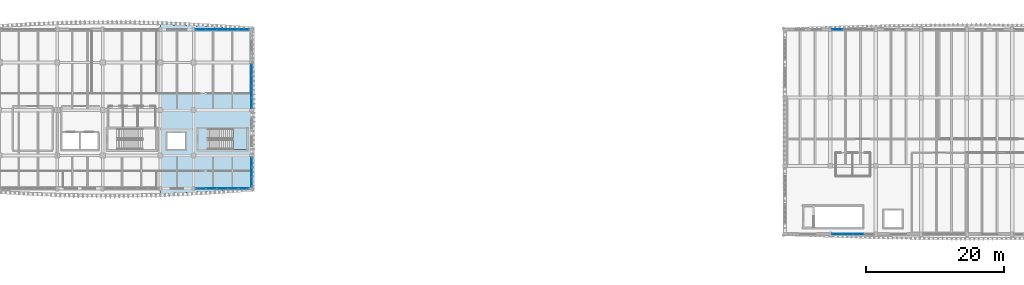
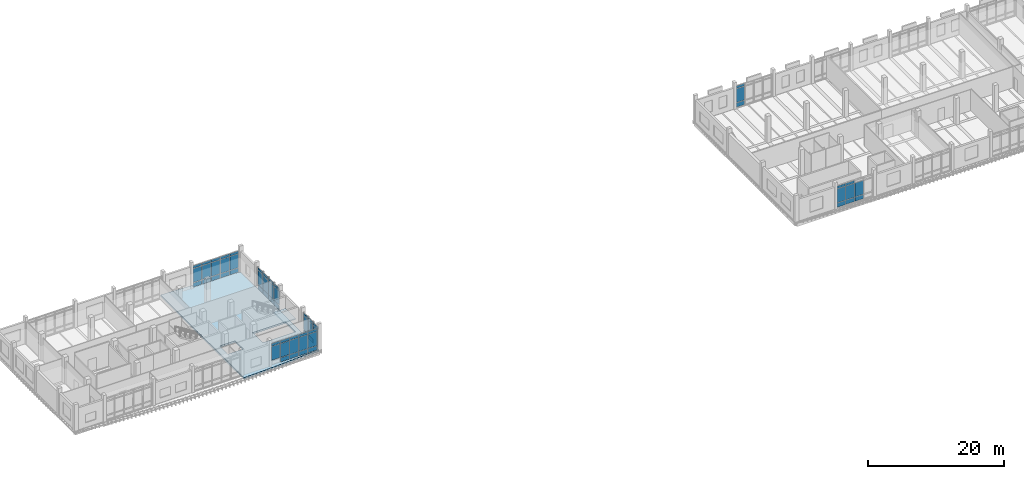
# One storey, part 15 of 37: 61 plates, 2 slabs, 7 elements without a shape of their own.
"""IFC4 building model written with IfcOpenShell, lengths in metres."""

from ifc_helpers import new_model, si_unit, direction, frame, origin, origin_2d, place, context, subcontext, project, spatial, polyline, rectangle, outline, extrude, material, layer, layer_set, type_object, element, aggregate, save


model = new_model("IFC4")

# Units and contexts
model_context = context("Model", 3, precision=1e-05, world=origin(), true_north=direction((0.0, 1.0)))
body_context = subcontext(model_context, "Body", "Model", "MODEL_VIEW")
ifc_project = project(units=[si_unit("LENGTHUNIT", "METRE"), si_unit("AREAUNIT", "SQUARE_METRE"), si_unit("VOLUMEUNIT", "CUBIC_METRE"), si_unit("PLANEANGLEUNIT", "RADIAN"), si_unit("MASSUNIT", "GRAM", prefix="KILO")], contexts=[model_context])

# Site, building, storey
site_placement = place(None, origin())
site = spatial("IfcSite", under=ifc_project, at=site_placement, CompositionType="ELEMENT")
building_placement = place(site_placement, origin())
building = spatial("IfcBuilding", under=site, at=building_placement, Name="Dornvale Research Institute", CompositionType="ELEMENT")
storey_placement = place(building_placement, frame((0.0, 0.0, 29.39990234375)))
storey = spatial("IfcBuildingStorey", under=building, at=storey_placement, Name="L06", CompositionType="ELEMENT", Elevation=29.39990234375)

# Curtain wall, plate
ifc_material_1 = material(Name="Low-E Argon Double Insulating Glazing Unit", Category="glass")
curtain_wall_type_1 = type_object("IfcCurtainWallType", Name="UnitisedCurtainWall_V4_6150x3950", PredefinedType="USERDEFINED", material=ifc_material_1)
curtain_wall_1_placement = place(storey_placement, origin())
curtain_wall_1 = element("IfcCurtainWall", 1, at=curtain_wall_1_placement, inside=storey, type_object=curtain_wall_type_1, Name="L06 V4 unitised curtain wall CW-15 #117", ObjectType="UNITISED CURTAIN WALL", PredefinedType="USERDEFINED")
ifc_material_2 = material(Name="Insulated Ceramic-Frit Spandrel Glass Panel", Category="glass")
ifc_layer_1 = layer(ifc_material_2, 0.0419921875)
ifc_layer_set_1 = layer_set([ifc_layer_1], Name="Insulated Ceramic-Frit Spandrel Glass Panel")
plate_type_1 = type_object("IfcPlateType", Name="CurtainPanel_Spandrel_42", PredefinedType="CURTAIN_PANEL", material=ifc_layer_set_1)
plate_1_placement = place(storey_placement, frame((126.409912109375, 122.10009765625, 0.065185546875), z_axis=(0.0, 0.0, 1.0), x_axis=(1.0, 0.0, 0.0)))
plate_1 = element("IfcPlate", 2, at=plate_1_placement, type_object=plate_type_1, Name="CW-15 panel 1.1", PredefinedType="CURTAIN_PANEL", context=body_context, shape_type="SweptSolid", body=[
    extrude(rectangle(XDim=1.43994140625, YDim=0.0419921875, at=origin_2d()), origin(), (0.0, 0.0, 1.0), 0.75244140625),
])

# Curtain wall, plates
curtain_wall_2_placement = place(storey_placement, origin())
curtain_wall_2 = element("IfcCurtainWall", 3, at=curtain_wall_2_placement, inside=storey, type_object=curtain_wall_type_1, Name="L06 V4 unitised curtain wall CW-15 #124", ObjectType="UNITISED CURTAIN WALL", PredefinedType="USERDEFINED")
plate_2_placement = place(storey_placement, frame((129.46875, 92.39990234375, 0.065185546875), z_axis=(0.0, 0.0, 1.0), x_axis=(-1.0, 0.0, 0.0)))
plate_2 = element("IfcPlate", 4, at=plate_2_placement, type_object=plate_type_1, Name="CW-15 panel 2.1", PredefinedType="CURTAIN_PANEL", context=body_context, shape_type="SweptSolid", body=[
    extrude(rectangle(XDim=1.472412109375, YDim=0.0419921875, at=origin_2d()), origin(), (0.0, 0.0, 1.0), 0.75244140625),
])
plate_3_placement = place(storey_placement, frame((127.93115234375, 92.39990234375, 0.065185546875), z_axis=(0.0, 0.0, 1.0), x_axis=(-1.0, 0.0, 0.0)))
plate_3 = element("IfcPlate", 5, at=plate_3_placement, type_object=plate_type_1, Name="CW-15 panel 3.1", PredefinedType="CURTAIN_PANEL", context=body_context, shape_type="SweptSolid", body=[
    extrude(rectangle(XDim=1.472412109375, YDim=0.0419921875, at=origin_2d()), origin(), (0.0, 0.0, 1.0), 0.75244140625),
])
plate_4_placement = place(storey_placement, frame((126.409912109375, 92.39990234375, 0.065185546875), z_axis=(0.0, 0.0, 1.0), x_axis=(-1.0, 0.0, 0.0)))
plate_4 = element("IfcPlate", 6, at=plate_4_placement, type_object=plate_type_1, Name="CW-15 panel 4.1", PredefinedType="CURTAIN_PANEL", context=body_context, shape_type="SweptSolid", body=[
    extrude(rectangle(XDim=1.43994140625, YDim=0.0419921875, at=origin_2d()), origin(), (0.0, 0.0, 1.0), 0.75244140625),
])

ifc_material_3 = material(Name="Low-E Argon Double Insulating Glazing Unit", Category="glass")
curtain_wall_type_2 = type_object("IfcCurtainWallType", Name="UnitisedCurtainWall_V5_7850x3950", PredefinedType="USERDEFINED", material=ifc_material_3)
curtain_wall_3_placement = place(storey_placement, origin())
curtain_wall_3 = element("IfcCurtainWall", 7, at=curtain_wall_3_placement, inside=storey, type_object=curtain_wall_type_2, Name="L06 V5 unitised curtain wall CW-31 #175", ObjectType="UNITISED CURTAIN WALL", PredefinedType="USERDEFINED")
plate_5_placement = place(storey_placement, frame((34.0263671875, 122.10009765625, 0.065185546875), z_axis=(0.0, 0.0, 1.0), x_axis=(1.0, 0.0, 0.0)))
plate_5 = element("IfcPlate", 8, at=plate_5_placement, type_object=plate_type_1, Name="CW-31 panel 1.1", PredefinedType="CURTAIN_PANEL", context=body_context, shape_type="SweptSolid", body=[
    extrude(rectangle(XDim=1.472412109375, YDim=0.0419921875, at=origin_2d()), origin(), (0.0, 0.0, 1.0), 0.75244140625),
])
plate_6_placement = place(storey_placement, frame((35.580078125, 122.10009765625, 0.065185546875), z_axis=(0.0, 0.0, 1.0), x_axis=(1.0, 0.0, 0.0)))
plate_6 = element("IfcPlate", 9, at=plate_6_placement, type_object=plate_type_1, Name="CW-31 panel 2.1", PredefinedType="CURTAIN_PANEL", context=body_context, shape_type="SweptSolid", body=[
    extrude(rectangle(XDim=1.5048828125, YDim=0.0419921875, at=origin_2d()), origin(), (0.0, 0.0, 1.0), 0.75244140625),
])
plate_7_placement = place(storey_placement, frame((37.14990234375, 122.10009765625, 0.065185546875), z_axis=(0.0, 0.0, 1.0), x_axis=(1.0, 0.0, 0.0)))
plate_7 = element("IfcPlate", 10, at=plate_7_placement, type_object=plate_type_1, Name="CW-31 panel 3.1", PredefinedType="CURTAIN_PANEL", context=body_context, shape_type="SweptSolid", body=[
    extrude(rectangle(XDim=1.5048828125, YDim=0.0419921875, at=origin_2d()), origin(), (0.0, 0.0, 1.0), 0.75244140625),
])
plate_8_placement = place(storey_placement, frame((38.719970703125, 122.10009765625, 0.065185546875), z_axis=(0.0, 0.0, 1.0), x_axis=(1.0, 0.0, 0.0)))
plate_8 = element("IfcPlate", 11, at=plate_8_placement, type_object=plate_type_1, Name="CW-31 panel 4.1", PredefinedType="CURTAIN_PANEL", context=body_context, shape_type="SweptSolid", body=[
    extrude(rectangle(XDim=1.5048828125, YDim=0.0419921875, at=origin_2d()), origin(), (0.0, 0.0, 1.0), 0.75244140625),
])
plate_9_placement = place(storey_placement, frame((40.273681640625, 122.10009765625, 0.065185546875), z_axis=(0.0, 0.0, 1.0), x_axis=(1.0, 0.0, 0.0)))
plate_9 = element("IfcPlate", 12, at=plate_9_placement, type_object=plate_type_1, Name="CW-31 panel 5.1", PredefinedType="CURTAIN_PANEL", context=body_context, shape_type="SweptSolid", body=[
    extrude(rectangle(XDim=1.472412109375, YDim=0.0419921875, at=origin_2d()), origin(), (0.0, 0.0, 1.0), 0.75244140625),
])

ifc_material_4 = material(Name="Low-E Argon Double Insulating Glazing Unit", Category="glass")
curtain_wall_type_3 = type_object("IfcCurtainWallType", Name="UnitisedCurtainWall_V5_6450x3950", PredefinedType="USERDEFINED", material=ifc_material_4)
curtain_wall_4_placement = place(storey_placement, origin())
curtain_wall_4 = element("IfcCurtainWall", 13, at=curtain_wall_4_placement, inside=storey, type_object=curtain_wall_type_3, Name="L06 V5 unitised curtain wall CW-32 #176", ObjectType="UNITISED CURTAIN WALL", PredefinedType="USERDEFINED")
plate_10_placement = place(storey_placement, frame((41.39990234375, 116.25244140625, 0.065185546875), z_axis=(0.0, 0.0, 1.0), x_axis=(0.0, -1.0, 0.0)))
plate_10 = element("IfcPlate", 14, at=plate_10_placement, type_object=plate_type_1, Name="CW-32 panel 1.1", PredefinedType="CURTAIN_PANEL", context=body_context, shape_type="SweptSolid", body=[
    extrude(rectangle(XDim=1.514892578125, YDim=0.0419921875, at=origin_2d()), origin(), (0.0, 0.0, 1.0), 0.75244140625),
])
plate_11_placement = place(storey_placement, frame((41.39990234375, 114.65625, 0.065185546875), z_axis=(0.0, 0.0, 1.0), x_axis=(0.0, -1.0, 0.0)))
plate_11 = element("IfcPlate", 15, at=plate_11_placement, type_object=plate_type_1, Name="CW-32 panel 2.1", PredefinedType="CURTAIN_PANEL", context=body_context, shape_type="SweptSolid", body=[
    extrude(rectangle(XDim=1.547607421875, YDim=0.0419921875, at=origin_2d()), origin(), (0.0, 0.0, 1.0), 0.75244140625),
])
plate_12_placement = place(storey_placement, frame((41.39990234375, 113.043701171875, 0.065185546875), z_axis=(0.0, 0.0, 1.0), x_axis=(0.0, -1.0, 0.0)))
plate_12 = element("IfcPlate", 16, at=plate_12_placement, type_object=plate_type_1, Name="CW-32 panel 3.1", PredefinedType="CURTAIN_PANEL", context=body_context, shape_type="SweptSolid", body=[
    extrude(rectangle(XDim=1.547607421875, YDim=0.0419921875, at=origin_2d()), origin(), (0.0, 0.0, 1.0), 0.75244140625),
])
plate_13_placement = place(storey_placement, frame((41.39990234375, 111.447509765625, 0.065185546875), z_axis=(0.0, 0.0, 1.0), x_axis=(0.0, -1.0, 0.0)))
plate_13 = element("IfcPlate", 17, at=plate_13_placement, type_object=plate_type_1, Name="CW-32 panel 4.1", PredefinedType="CURTAIN_PANEL", context=body_context, shape_type="SweptSolid", body=[
    extrude(rectangle(XDim=1.514892578125, YDim=0.0419921875, at=origin_2d()), origin(), (0.0, 0.0, 1.0), 0.75244140625),
])

ifc_material_5 = material(Name="Low-E Argon Double Insulating Glazing Unit", Category="glass")
curtain_wall_type_4 = type_object("IfcCurtainWallType", Name="UnitisedCurtainWall_V5_4350x3950", PredefinedType="USERDEFINED", material=ifc_material_5)
curtain_wall_5_placement = place(storey_placement, origin())
curtain_wall_5 = element("IfcCurtainWall", 18, at=curtain_wall_5_placement, inside=storey, type_object=curtain_wall_type_4, Name="L06 V5 unitised curtain wall CW-33 #177", ObjectType="UNITISED CURTAIN WALL", PredefinedType="USERDEFINED")
plate_14_placement = place(storey_placement, frame((41.39990234375, 102.833740234375, 0.065185546875), z_axis=(0.0, 0.0, 1.0), x_axis=(0.0, -1.0, 0.0)))
plate_14 = element("IfcPlate", 19, at=plate_14_placement, type_object=plate_type_1, Name="CW-33 panel 1.1", PredefinedType="CURTAIN_PANEL", context=body_context, shape_type="SweptSolid", body=[
    extrude(rectangle(XDim=1.3525390625, YDim=0.0419921875, at=origin_2d()), origin(), (0.0, 0.0, 1.0), 0.75244140625),
])
plate_15_placement = place(storey_placement, frame((41.39990234375, 101.39990234375, 0.065185546875), z_axis=(0.0, 0.0, 1.0), x_axis=(0.0, -1.0, 0.0)))
plate_15 = element("IfcPlate", 20, at=plate_15_placement, type_object=plate_type_1, Name="CW-33 panel 2.1", PredefinedType="CURTAIN_PANEL", context=body_context, shape_type="SweptSolid", body=[
    extrude(rectangle(XDim=1.385009765625, YDim=0.0419921875, at=origin_2d()), origin(), (0.0, 0.0, 1.0), 0.75244140625),
])
plate_16_placement = place(storey_placement, frame((41.39990234375, 99.96630859375, 0.065185546875), z_axis=(0.0, 0.0, 1.0), x_axis=(0.0, -1.0, 0.0)))
plate_16 = element("IfcPlate", 21, at=plate_16_placement, type_object=plate_type_1, Name="CW-33 panel 3.1", PredefinedType="CURTAIN_PANEL", context=body_context, shape_type="SweptSolid", body=[
    extrude(rectangle(XDim=1.3525390625, YDim=0.0419921875, at=origin_2d()), origin(), (0.0, 0.0, 1.0), 0.75244140625),
])

curtain_wall_6_placement = place(storey_placement, origin())
curtain_wall_6 = element("IfcCurtainWall", 22, at=curtain_wall_6_placement, inside=storey, type_object=curtain_wall_type_2, Name="L06 V5 unitised curtain wall CW-31 #178", ObjectType="UNITISED CURTAIN WALL", PredefinedType="USERDEFINED")
plate_17_placement = place(storey_placement, frame((40.273681640625, 99.0, 0.065185546875), z_axis=(0.0, 0.0, 1.0), x_axis=(-1.0, 0.0, 0.0)))
plate_17 = element("IfcPlate", 23, at=plate_17_placement, type_object=plate_type_1, Name="CW-31 panel 1.1", PredefinedType="CURTAIN_PANEL", context=body_context, shape_type="SweptSolid", body=[
    extrude(rectangle(XDim=1.472412109375, YDim=0.0419921875, at=origin_2d()), origin(), (0.0, 0.0, 1.0), 0.75244140625),
])
plate_18_placement = place(storey_placement, frame((38.719970703125, 99.0, 0.065185546875), z_axis=(0.0, 0.0, 1.0), x_axis=(-1.0, 0.0, 0.0)))
plate_18 = element("IfcPlate", 24, at=plate_18_placement, type_object=plate_type_1, Name="CW-31 panel 2.1", PredefinedType="CURTAIN_PANEL", context=body_context, shape_type="SweptSolid", body=[
    extrude(rectangle(XDim=1.5048828125, YDim=0.0419921875, at=origin_2d()), origin(), (0.0, 0.0, 1.0), 0.75244140625),
])
plate_19_placement = place(storey_placement, frame((37.14990234375, 99.0, 0.065185546875), z_axis=(0.0, 0.0, 1.0), x_axis=(-1.0, 0.0, 0.0)))
plate_19 = element("IfcPlate", 25, at=plate_19_placement, type_object=plate_type_1, Name="CW-31 panel 3.1", PredefinedType="CURTAIN_PANEL", context=body_context, shape_type="SweptSolid", body=[
    extrude(rectangle(XDim=1.5048828125, YDim=0.0419921875, at=origin_2d()), origin(), (0.0, 0.0, 1.0), 0.75244140625),
])
plate_20_placement = place(storey_placement, frame((35.580078125, 99.0, 0.065185546875), z_axis=(0.0, 0.0, 1.0), x_axis=(-1.0, 0.0, 0.0)))
plate_20 = element("IfcPlate", 26, at=plate_20_placement, type_object=plate_type_1, Name="CW-31 panel 4.1", PredefinedType="CURTAIN_PANEL", context=body_context, shape_type="SweptSolid", body=[
    extrude(rectangle(XDim=1.5048828125, YDim=0.0419921875, at=origin_2d()), origin(), (0.0, 0.0, 1.0), 0.75244140625),
])

# Plate
ifc_material_6 = material(Name="Low-E Argon Double Insulating Glazing Unit", Category="glass")
ifc_layer_2 = layer(ifc_material_6, 0.028076171875)
ifc_layer_set_2 = layer_set([ifc_layer_2], Name="Low-E Argon Double Insulating Glazing Unit")
plate_type_2 = type_object("IfcPlateType", Name="CurtainPanel_Vision_28", PredefinedType="CURTAIN_PANEL", material=ifc_layer_set_2)
plate_21_placement = place(storey_placement, frame((126.409912109375, 122.10009765625, 0.88232421875), z_axis=(0.0, 0.0, 1.0), x_axis=(1.0, 0.0, 0.0)))
plate_21 = element("IfcPlate", 27, at=plate_21_placement, type_object=plate_type_2, Name="CW-15 panel 1.2", PredefinedType="CURTAIN_PANEL", context=body_context, shape_type="SweptSolid", body=[
    extrude(rectangle(XDim=1.43994140625, YDim=0.028076171875, at=origin_2d()), origin(), (0.0, 0.0, 1.0), 2.485107421875),
])

plate_22_placement = place(storey_placement, frame((126.409912109375, 122.10009765625, 3.4326171875), z_axis=(0.0, 0.0, 1.0), x_axis=(1.0, 0.0, 0.0)))
plate_22 = element("IfcPlate", 28, at=plate_22_placement, type_object=plate_type_2, Name="CW-15 panel 1.3", PredefinedType="CURTAIN_PANEL", context=body_context, shape_type="SweptSolid", body=[
    extrude(rectangle(XDim=1.43994140625, YDim=0.028076171875, at=origin_2d()), origin(), (0.0, 0.0, 1.0), 0.452392578125),
])

aggregate(curtain_wall_1, [plate_1, plate_21, plate_22])

plate_23_placement = place(storey_placement, frame((129.46875, 92.39990234375, 0.88232421875), z_axis=(0.0, 0.0, 1.0), x_axis=(-1.0, 0.0, 0.0)))
plate_23 = element("IfcPlate", 29, at=plate_23_placement, type_object=plate_type_2, Name="CW-15 panel 2.2", PredefinedType="CURTAIN_PANEL", context=body_context, shape_type="SweptSolid", body=[
    extrude(rectangle(XDim=1.472412109375, YDim=0.028076171875, at=origin_2d()), origin(), (0.0, 0.0, 1.0), 2.485107421875),
])

plate_24_placement = place(storey_placement, frame((127.93115234375, 92.39990234375, 0.88232421875), z_axis=(0.0, 0.0, 1.0), x_axis=(-1.0, 0.0, 0.0)))
plate_24 = element("IfcPlate", 30, at=plate_24_placement, type_object=plate_type_2, Name="CW-15 panel 3.2", PredefinedType="CURTAIN_PANEL", context=body_context, shape_type="SweptSolid", body=[
    extrude(rectangle(XDim=1.472412109375, YDim=0.028076171875, at=origin_2d()), origin(), (0.0, 0.0, 1.0), 2.485107421875),
])

plate_25_placement = place(storey_placement, frame((127.93115234375, 92.39990234375, 3.4326171875), z_axis=(0.0, 0.0, 1.0), x_axis=(-1.0, 0.0, 0.0)))
plate_25 = element("IfcPlate", 31, at=plate_25_placement, type_object=plate_type_2, Name="CW-15 panel 3.3", PredefinedType="CURTAIN_PANEL", context=body_context, shape_type="SweptSolid", body=[
    extrude(rectangle(XDim=1.472412109375, YDim=0.028076171875, at=origin_2d()), origin(), (0.0, 0.0, 1.0), 0.452392578125),
])

plate_26_placement = place(storey_placement, frame((126.409912109375, 92.39990234375, 0.88232421875), z_axis=(0.0, 0.0, 1.0), x_axis=(-1.0, 0.0, 0.0)))
plate_26 = element("IfcPlate", 32, at=plate_26_placement, type_object=plate_type_2, Name="CW-15 panel 4.2", PredefinedType="CURTAIN_PANEL", context=body_context, shape_type="SweptSolid", body=[
    extrude(rectangle(XDim=1.43994140625, YDim=0.028076171875, at=origin_2d()), origin(), (0.0, 0.0, 1.0), 2.485107421875),
])

plate_27_placement = place(storey_placement, frame((126.409912109375, 92.39990234375, 3.4326171875), z_axis=(0.0, 0.0, 1.0), x_axis=(-1.0, 0.0, 0.0)))
plate_27 = element("IfcPlate", 33, at=plate_27_placement, type_object=plate_type_2, Name="CW-15 panel 4.3", PredefinedType="CURTAIN_PANEL", context=body_context, shape_type="SweptSolid", body=[
    extrude(rectangle(XDim=1.43994140625, YDim=0.028076171875, at=origin_2d()), origin(), (0.0, 0.0, 1.0), 0.452392578125),
])

aggregate(curtain_wall_2, [plate_2, plate_23, plate_3, plate_24, plate_25, plate_4, plate_26, plate_27])

plate_28_placement = place(storey_placement, frame((34.0263671875, 122.10009765625, 0.88232421875), z_axis=(0.0, 0.0, 1.0), x_axis=(1.0, 0.0, 0.0)))
plate_28 = element("IfcPlate", 34, at=plate_28_placement, type_object=plate_type_2, Name="CW-31 panel 1.2", PredefinedType="CURTAIN_PANEL", context=body_context, shape_type="SweptSolid", body=[
    extrude(rectangle(XDim=1.472412109375, YDim=0.028076171875, at=origin_2d()), origin(), (0.0, 0.0, 1.0), 2.485107421875),
])

plate_29_placement = place(storey_placement, frame((34.0263671875, 122.10009765625, 3.4326171875), z_axis=(0.0, 0.0, 1.0), x_axis=(1.0, 0.0, 0.0)))
plate_29 = element("IfcPlate", 35, at=plate_29_placement, type_object=plate_type_2, Name="CW-31 panel 1.3", PredefinedType="CURTAIN_PANEL", context=body_context, shape_type="SweptSolid", body=[
    extrude(rectangle(XDim=1.472412109375, YDim=0.028076171875, at=origin_2d()), origin(), (0.0, 0.0, 1.0), 0.452392578125),
])

plate_30_placement = place(storey_placement, frame((35.580078125, 122.10009765625, 0.88232421875), z_axis=(0.0, 0.0, 1.0), x_axis=(1.0, 0.0, 0.0)))
plate_30 = element("IfcPlate", 36, at=plate_30_placement, type_object=plate_type_2, Name="CW-31 panel 2.2", PredefinedType="CURTAIN_PANEL", context=body_context, shape_type="SweptSolid", body=[
    extrude(rectangle(XDim=1.5048828125, YDim=0.028076171875, at=origin_2d()), origin(), (0.0, 0.0, 1.0), 2.485107421875),
])

plate_31_placement = place(storey_placement, frame((35.580078125, 122.10009765625, 3.4326171875), z_axis=(0.0, 0.0, 1.0), x_axis=(1.0, 0.0, 0.0)))
plate_31 = element("IfcPlate", 37, at=plate_31_placement, type_object=plate_type_2, Name="CW-31 panel 2.3", PredefinedType="CURTAIN_PANEL", context=body_context, shape_type="SweptSolid", body=[
    extrude(rectangle(XDim=1.5048828125, YDim=0.028076171875, at=origin_2d()), origin(), (0.0, 0.0, 1.0), 0.452392578125),
])

plate_32_placement = place(storey_placement, frame((37.14990234375, 122.10009765625, 0.88232421875), z_axis=(0.0, 0.0, 1.0), x_axis=(1.0, 0.0, 0.0)))
plate_32 = element("IfcPlate", 38, at=plate_32_placement, type_object=plate_type_2, Name="CW-31 panel 3.2", PredefinedType="CURTAIN_PANEL", context=body_context, shape_type="SweptSolid", body=[
    extrude(rectangle(XDim=1.5048828125, YDim=0.028076171875, at=origin_2d()), origin(), (0.0, 0.0, 1.0), 2.485107421875),
])

plate_33_placement = place(storey_placement, frame((37.14990234375, 122.10009765625, 3.4326171875), z_axis=(0.0, 0.0, 1.0), x_axis=(1.0, 0.0, 0.0)))
plate_33 = element("IfcPlate", 39, at=plate_33_placement, type_object=plate_type_2, Name="CW-31 panel 3.3", PredefinedType="CURTAIN_PANEL", context=body_context, shape_type="SweptSolid", body=[
    extrude(rectangle(XDim=1.5048828125, YDim=0.028076171875, at=origin_2d()), origin(), (0.0, 0.0, 1.0), 0.452392578125),
])

plate_34_placement = place(storey_placement, frame((38.719970703125, 122.10009765625, 0.88232421875), z_axis=(0.0, 0.0, 1.0), x_axis=(1.0, 0.0, 0.0)))
plate_34 = element("IfcPlate", 40, at=plate_34_placement, type_object=plate_type_2, Name="CW-31 panel 4.2", PredefinedType="CURTAIN_PANEL", context=body_context, shape_type="SweptSolid", body=[
    extrude(rectangle(XDim=1.5048828125, YDim=0.028076171875, at=origin_2d()), origin(), (0.0, 0.0, 1.0), 2.485107421875),
])

plate_35_placement = place(storey_placement, frame((38.719970703125, 122.10009765625, 3.4326171875), z_axis=(0.0, 0.0, 1.0), x_axis=(1.0, 0.0, 0.0)))
plate_35 = element("IfcPlate", 41, at=plate_35_placement, type_object=plate_type_2, Name="CW-31 panel 4.3", PredefinedType="CURTAIN_PANEL", context=body_context, shape_type="SweptSolid", body=[
    extrude(rectangle(XDim=1.5048828125, YDim=0.028076171875, at=origin_2d()), origin(), (0.0, 0.0, 1.0), 0.452392578125),
])

plate_36_placement = place(storey_placement, frame((40.273681640625, 122.10009765625, 0.88232421875), z_axis=(0.0, 0.0, 1.0), x_axis=(1.0, 0.0, 0.0)))
plate_36 = element("IfcPlate", 42, at=plate_36_placement, type_object=plate_type_2, Name="CW-31 panel 5.2", PredefinedType="CURTAIN_PANEL", context=body_context, shape_type="SweptSolid", body=[
    extrude(rectangle(XDim=1.472412109375, YDim=0.028076171875, at=origin_2d()), origin(), (0.0, 0.0, 1.0), 2.485107421875),
])

plate_37_placement = place(storey_placement, frame((40.273681640625, 122.10009765625, 3.4326171875), z_axis=(0.0, 0.0, 1.0), x_axis=(1.0, 0.0, 0.0)))
plate_37 = element("IfcPlate", 43, at=plate_37_placement, type_object=plate_type_2, Name="CW-31 panel 5.3", PredefinedType="CURTAIN_PANEL", context=body_context, shape_type="SweptSolid", body=[
    extrude(rectangle(XDim=1.472412109375, YDim=0.028076171875, at=origin_2d()), origin(), (0.0, 0.0, 1.0), 0.452392578125),
])

aggregate(curtain_wall_3, [plate_5, plate_28, plate_29, plate_6, plate_30, plate_31, plate_7, plate_32, plate_33, plate_8, plate_34, plate_35, plate_9, plate_36, plate_37])

plate_38_placement = place(storey_placement, frame((41.39990234375, 116.25244140625, 0.88232421875), z_axis=(0.0, 0.0, 1.0), x_axis=(0.0, -1.0, 0.0)))
plate_38 = element("IfcPlate", 44, at=plate_38_placement, type_object=plate_type_2, Name="CW-32 panel 1.2", PredefinedType="CURTAIN_PANEL", context=body_context, shape_type="SweptSolid", body=[
    extrude(rectangle(XDim=1.514892578125, YDim=0.028076171875, at=origin_2d()), origin(), (0.0, 0.0, 1.0), 2.485107421875),
])

plate_39_placement = place(storey_placement, frame((41.39990234375, 116.25244140625, 3.4326171875), z_axis=(0.0, 0.0, 1.0), x_axis=(0.0, -1.0, 0.0)))
plate_39 = element("IfcPlate", 45, at=plate_39_placement, type_object=plate_type_2, Name="CW-32 panel 1.3", PredefinedType="CURTAIN_PANEL", context=body_context, shape_type="SweptSolid", body=[
    extrude(rectangle(XDim=1.514892578125, YDim=0.028076171875, at=origin_2d()), origin(), (0.0, 0.0, 1.0), 0.452392578125),
])

plate_40_placement = place(storey_placement, frame((41.39990234375, 114.65625, 0.88232421875), z_axis=(0.0, 0.0, 1.0), x_axis=(0.0, -1.0, 0.0)))
plate_40 = element("IfcPlate", 46, at=plate_40_placement, type_object=plate_type_2, Name="CW-32 panel 2.2", PredefinedType="CURTAIN_PANEL", context=body_context, shape_type="SweptSolid", body=[
    extrude(rectangle(XDim=1.547607421875, YDim=0.028076171875, at=origin_2d()), origin(), (0.0, 0.0, 1.0), 2.485107421875),
])

plate_41_placement = place(storey_placement, frame((41.39990234375, 114.65625, 3.4326171875), z_axis=(0.0, 0.0, 1.0), x_axis=(0.0, -1.0, 0.0)))
plate_41 = element("IfcPlate", 47, at=plate_41_placement, type_object=plate_type_2, Name="CW-32 panel 2.3", PredefinedType="CURTAIN_PANEL", context=body_context, shape_type="SweptSolid", body=[
    extrude(rectangle(XDim=1.547607421875, YDim=0.028076171875, at=origin_2d()), origin(), (0.0, 0.0, 1.0), 0.452392578125),
])

plate_42_placement = place(storey_placement, frame((41.39990234375, 113.043701171875, 0.88232421875), z_axis=(0.0, 0.0, 1.0), x_axis=(0.0, -1.0, 0.0)))
plate_42 = element("IfcPlate", 48, at=plate_42_placement, type_object=plate_type_2, Name="CW-32 panel 3.2", PredefinedType="CURTAIN_PANEL", context=body_context, shape_type="SweptSolid", body=[
    extrude(rectangle(XDim=1.547607421875, YDim=0.028076171875, at=origin_2d()), origin(), (0.0, 0.0, 1.0), 2.485107421875),
])

plate_43_placement = place(storey_placement, frame((41.39990234375, 113.043701171875, 3.4326171875), z_axis=(0.0, 0.0, 1.0), x_axis=(0.0, -1.0, 0.0)))
plate_43 = element("IfcPlate", 49, at=plate_43_placement, type_object=plate_type_2, Name="CW-32 panel 3.3", PredefinedType="CURTAIN_PANEL", context=body_context, shape_type="SweptSolid", body=[
    extrude(rectangle(XDim=1.547607421875, YDim=0.028076171875, at=origin_2d()), origin(), (0.0, 0.0, 1.0), 0.452392578125),
])

plate_44_placement = place(storey_placement, frame((41.39990234375, 111.447509765625, 0.88232421875), z_axis=(0.0, 0.0, 1.0), x_axis=(0.0, -1.0, 0.0)))
plate_44 = element("IfcPlate", 50, at=plate_44_placement, type_object=plate_type_2, Name="CW-32 panel 4.2", PredefinedType="CURTAIN_PANEL", context=body_context, shape_type="SweptSolid", body=[
    extrude(rectangle(XDim=1.514892578125, YDim=0.028076171875, at=origin_2d()), origin(), (0.0, 0.0, 1.0), 2.485107421875),
])

plate_45_placement = place(storey_placement, frame((41.39990234375, 111.447509765625, 3.4326171875), z_axis=(0.0, 0.0, 1.0), x_axis=(0.0, -1.0, 0.0)))
plate_45 = element("IfcPlate", 51, at=plate_45_placement, type_object=plate_type_2, Name="CW-32 panel 4.3", PredefinedType="CURTAIN_PANEL", context=body_context, shape_type="SweptSolid", body=[
    extrude(rectangle(XDim=1.514892578125, YDim=0.028076171875, at=origin_2d()), origin(), (0.0, 0.0, 1.0), 0.452392578125),
])

aggregate(curtain_wall_4, [plate_10, plate_38, plate_39, plate_11, plate_40, plate_41, plate_12, plate_42, plate_43, plate_13, plate_44, plate_45])

plate_46_placement = place(storey_placement, frame((41.39990234375, 102.833740234375, 0.88232421875), z_axis=(0.0, 0.0, 1.0), x_axis=(0.0, -1.0, 0.0)))
plate_46 = element("IfcPlate", 52, at=plate_46_placement, type_object=plate_type_2, Name="CW-33 panel 1.2", PredefinedType="CURTAIN_PANEL", context=body_context, shape_type="SweptSolid", body=[
    extrude(rectangle(XDim=1.3525390625, YDim=0.028076171875, at=origin_2d()), origin(), (0.0, 0.0, 1.0), 2.485107421875),
])

plate_47_placement = place(storey_placement, frame((41.39990234375, 102.833740234375, 3.4326171875), z_axis=(0.0, 0.0, 1.0), x_axis=(0.0, -1.0, 0.0)))
plate_47 = element("IfcPlate", 53, at=plate_47_placement, type_object=plate_type_2, Name="CW-33 panel 1.3", PredefinedType="CURTAIN_PANEL", context=body_context, shape_type="SweptSolid", body=[
    extrude(rectangle(XDim=1.3525390625, YDim=0.028076171875, at=origin_2d()), origin(), (0.0, 0.0, 1.0), 0.452392578125),
])

plate_48_placement = place(storey_placement, frame((41.39990234375, 101.39990234375, 0.88232421875), z_axis=(0.0, 0.0, 1.0), x_axis=(0.0, -1.0, 0.0)))
plate_48 = element("IfcPlate", 54, at=plate_48_placement, type_object=plate_type_2, Name="CW-33 panel 2.2", PredefinedType="CURTAIN_PANEL", context=body_context, shape_type="SweptSolid", body=[
    extrude(rectangle(XDim=1.385009765625, YDim=0.028076171875, at=origin_2d()), origin(), (0.0, 0.0, 1.0), 2.485107421875),
])

plate_49_placement = place(storey_placement, frame((41.39990234375, 101.39990234375, 3.4326171875), z_axis=(0.0, 0.0, 1.0), x_axis=(0.0, -1.0, 0.0)))
plate_49 = element("IfcPlate", 55, at=plate_49_placement, type_object=plate_type_2, Name="CW-33 panel 2.3", PredefinedType="CURTAIN_PANEL", context=body_context, shape_type="SweptSolid", body=[
    extrude(rectangle(XDim=1.385009765625, YDim=0.028076171875, at=origin_2d()), origin(), (0.0, 0.0, 1.0), 0.452392578125),
])

plate_50_placement = place(storey_placement, frame((41.39990234375, 99.96630859375, 0.88232421875), z_axis=(0.0, 0.0, 1.0), x_axis=(0.0, -1.0, 0.0)))
plate_50 = element("IfcPlate", 56, at=plate_50_placement, type_object=plate_type_2, Name="CW-33 panel 3.2", PredefinedType="CURTAIN_PANEL", context=body_context, shape_type="SweptSolid", body=[
    extrude(rectangle(XDim=1.3525390625, YDim=0.028076171875, at=origin_2d()), origin(), (0.0, 0.0, 1.0), 2.485107421875),
])

plate_51_placement = place(storey_placement, frame((41.39990234375, 99.96630859375, 3.4326171875), z_axis=(0.0, 0.0, 1.0), x_axis=(0.0, -1.0, 0.0)))
plate_51 = element("IfcPlate", 57, at=plate_51_placement, type_object=plate_type_2, Name="CW-33 panel 3.3", PredefinedType="CURTAIN_PANEL", context=body_context, shape_type="SweptSolid", body=[
    extrude(rectangle(XDim=1.3525390625, YDim=0.028076171875, at=origin_2d()), origin(), (0.0, 0.0, 1.0), 0.452392578125),
])

aggregate(curtain_wall_5, [plate_14, plate_46, plate_47, plate_15, plate_48, plate_49, plate_16, plate_50, plate_51])

plate_52_placement = place(storey_placement, frame((40.273681640625, 99.0, 0.88232421875), z_axis=(0.0, 0.0, 1.0), x_axis=(-1.0, 0.0, 0.0)))
plate_52 = element("IfcPlate", 58, at=plate_52_placement, type_object=plate_type_2, Name="CW-31 panel 1.2", PredefinedType="CURTAIN_PANEL", context=body_context, shape_type="SweptSolid", body=[
    extrude(rectangle(XDim=1.472412109375, YDim=0.028076171875, at=origin_2d()), origin(), (0.0, 0.0, 1.0), 2.485107421875),
])

plate_53_placement = place(storey_placement, frame((40.273681640625, 99.0, 3.4326171875), z_axis=(0.0, 0.0, 1.0), x_axis=(-1.0, 0.0, 0.0)))
plate_53 = element("IfcPlate", 59, at=plate_53_placement, type_object=plate_type_2, Name="CW-31 panel 1.3", PredefinedType="CURTAIN_PANEL", context=body_context, shape_type="SweptSolid", body=[
    extrude(rectangle(XDim=1.472412109375, YDim=0.028076171875, at=origin_2d()), origin(), (0.0, 0.0, 1.0), 0.452392578125),
])

plate_54_placement = place(storey_placement, frame((38.719970703125, 99.0, 0.88232421875), z_axis=(0.0, 0.0, 1.0), x_axis=(-1.0, 0.0, 0.0)))
plate_54 = element("IfcPlate", 60, at=plate_54_placement, type_object=plate_type_2, Name="CW-31 panel 2.2", PredefinedType="CURTAIN_PANEL", context=body_context, shape_type="SweptSolid", body=[
    extrude(rectangle(XDim=1.5048828125, YDim=0.028076171875, at=origin_2d()), origin(), (0.0, 0.0, 1.0), 2.485107421875),
])

plate_55_placement = place(storey_placement, frame((38.719970703125, 99.0, 3.4326171875), z_axis=(0.0, 0.0, 1.0), x_axis=(-1.0, 0.0, 0.0)))
plate_55 = element("IfcPlate", 61, at=plate_55_placement, type_object=plate_type_2, Name="CW-31 panel 2.3", PredefinedType="CURTAIN_PANEL", context=body_context, shape_type="SweptSolid", body=[
    extrude(rectangle(XDim=1.5048828125, YDim=0.028076171875, at=origin_2d()), origin(), (0.0, 0.0, 1.0), 0.452392578125),
])

plate_56_placement = place(storey_placement, frame((37.14990234375, 99.0, 0.88232421875), z_axis=(0.0, 0.0, 1.0), x_axis=(-1.0, 0.0, 0.0)))
plate_56 = element("IfcPlate", 62, at=plate_56_placement, type_object=plate_type_2, Name="CW-31 panel 3.2", PredefinedType="CURTAIN_PANEL", context=body_context, shape_type="SweptSolid", body=[
    extrude(rectangle(XDim=1.5048828125, YDim=0.028076171875, at=origin_2d()), origin(), (0.0, 0.0, 1.0), 2.485107421875),
])

plate_57_placement = place(storey_placement, frame((37.14990234375, 99.0, 3.4326171875), z_axis=(0.0, 0.0, 1.0), x_axis=(-1.0, 0.0, 0.0)))
plate_57 = element("IfcPlate", 63, at=plate_57_placement, type_object=plate_type_2, Name="CW-31 panel 3.3", PredefinedType="CURTAIN_PANEL", context=body_context, shape_type="SweptSolid", body=[
    extrude(rectangle(XDim=1.5048828125, YDim=0.028076171875, at=origin_2d()), origin(), (0.0, 0.0, 1.0), 0.452392578125),
])

plate_58_placement = place(storey_placement, frame((35.580078125, 99.0, 0.88232421875), z_axis=(0.0, 0.0, 1.0), x_axis=(-1.0, 0.0, 0.0)))
plate_58 = element("IfcPlate", 64, at=plate_58_placement, type_object=plate_type_2, Name="CW-31 panel 4.2", PredefinedType="CURTAIN_PANEL", context=body_context, shape_type="SweptSolid", body=[
    extrude(rectangle(XDim=1.5048828125, YDim=0.028076171875, at=origin_2d()), origin(), (0.0, 0.0, 1.0), 2.485107421875),
])

plate_59_placement = place(storey_placement, frame((35.580078125, 99.0, 3.4326171875), z_axis=(0.0, 0.0, 1.0), x_axis=(-1.0, 0.0, 0.0)))
plate_59 = element("IfcPlate", 65, at=plate_59_placement, type_object=plate_type_2, Name="CW-31 panel 4.3", PredefinedType="CURTAIN_PANEL", context=body_context, shape_type="SweptSolid", body=[
    extrude(rectangle(XDim=1.5048828125, YDim=0.028076171875, at=origin_2d()), origin(), (0.0, 0.0, 1.0), 0.452392578125),
])

plate_60_placement = place(storey_placement, frame((34.0263671875, 99.0, 0.88232421875), z_axis=(0.0, 0.0, 1.0), x_axis=(-1.0, 0.0, 0.0)))
plate_60 = element("IfcPlate", 66, at=plate_60_placement, type_object=plate_type_2, Name="CW-31 panel 5.2", PredefinedType="CURTAIN_PANEL", context=body_context, shape_type="SweptSolid", body=[
    extrude(rectangle(XDim=1.472412109375, YDim=0.028076171875, at=origin_2d()), origin(), (0.0, 0.0, 1.0), 2.485107421875),
])

plate_61_placement = place(storey_placement, frame((34.0263671875, 99.0, 3.4326171875), z_axis=(0.0, 0.0, 1.0), x_axis=(-1.0, 0.0, 0.0)))
plate_61 = element("IfcPlate", 67, at=plate_61_placement, type_object=plate_type_2, Name="CW-31 panel 5.3", PredefinedType="CURTAIN_PANEL", context=body_context, shape_type="SweptSolid", body=[
    extrude(rectangle(XDim=1.472412109375, YDim=0.028076171875, at=origin_2d()), origin(), (0.0, 0.0, 1.0), 0.452392578125),
])

aggregate(curtain_wall_6, [plate_17, plate_52, plate_53, plate_18, plate_54, plate_55, plate_19, plate_56, plate_57, plate_20, plate_58, plate_59, plate_60, plate_61])

# Slab
ifc_material_7 = material(Name="Concrete f'c 45 MPa (C35/45)", Category="concrete")
ifc_layer_3 = layer(ifc_material_7, 0.300048828125)
ifc_layer_set_3 = layer_set([ifc_layer_3], Name="Concrete f'c 45 MPa (C35/45)")
slab_type_1 = type_object("IfcSlabType", Name="FloorSlab_DryLab_300", PredefinedType="FLOOR", material=ifc_layer_set_3)
slab_1_placement = place(storey_placement, frame((0.0, 0.0, -0.2998046875)))
element("IfcSlab", 68, at=slab_1_placement, inside=storey, type_object=slab_type_1, Name="L06 V5 E floor slab", PredefinedType="FLOOR", context=body_context, shape_type="SweptSolid", body=[
    extrude(outline(polyline([(29.80810546875, 122.785400390625), (31.464111328125, 122.72021484375), (33.1201171875, 122.64404296875), (34.77587890625, 122.556884765625), (36.431884765625, 122.458984375), (38.087890625, 122.35009765625), (39.743896484375, 122.230712890625), (41.39990234375, 122.10009765625), (41.39990234375, 99.0), (39.743896484375, 98.869384765625), (38.087890625, 98.749755859375), (36.431884765625, 98.64111328125), (34.77587890625, 98.54296875), (33.1201171875, 98.4560546875), (31.464111328125, 98.3798828125), (29.80810546875, 98.314697265625), (28.199951171875, 98.26171875), (28.199951171875, 122.838134765625), (29.80810546875, 122.785400390625)]), holes=[polyline([(35.10009765625, 104.699951171875), (40.699951171875, 104.699951171875), (40.699951171875, 107.659912109375), (35.10009765625, 107.659912109375), (35.10009765625, 104.699951171875)]), polyline([(29.199951171875, 104.699951171875), (31.800048828125, 104.699951171875), (31.800048828125, 107.10009765625), (29.199951171875, 107.10009765625), (29.199951171875, 104.699951171875)])]), origin(), (0.0, 0.0, 1.0), 0.2998046875),
])

# Stair, slab
ifc_material_8 = material(Name="Concrete f'c 45 MPa (C35/45)", Category="concrete")
stair_type = type_object("IfcStairType", Name="HalfTurnStair_RC", PredefinedType="HALF_TURN_STAIR", material=ifc_material_8)
stair_placement = place(storey_placement, origin())
stair = element("IfcStair", 69, at=stair_placement, inside=storey, type_object=stair_type, Name="L06 Exit stair ST-2", PredefinedType="HALF_TURN_STAIR")
ifc_material_9 = material(Name="Concrete f'c 45 MPa (C35/45)", Category="concrete")
ifc_layer_4 = layer(ifc_material_9, 0.199951171875)
ifc_layer_set_4 = layer_set([ifc_layer_4], Name="Concrete f'c 45 MPa (C35/45)")
slab_type_2 = type_object("IfcSlabType", Name="Landing_Stair_200", PredefinedType="LANDING", material=ifc_layer_set_4)
slab_2_placement = place(storey_placement, frame((0.0, 0.0, 2.2001953125)))
slab_2 = element("IfcSlab", 70, at=slab_2_placement, type_object=slab_type_2, Name="ST-2 landing 1", PredefinedType="LANDING", context=body_context, shape_type="SweptSolid", body=[
    extrude(outline(polyline([(38.7099609375, 104.669921875), (38.7099609375, 107.68994140625), (40.72998046875, 107.68994140625), (40.72998046875, 104.669921875), (38.7099609375, 104.669921875)])), origin(), (0.0, 0.0, 1.0), 0.199951171875),
])
aggregate(stair, [slab_2])

save(model, "model.ifc")
